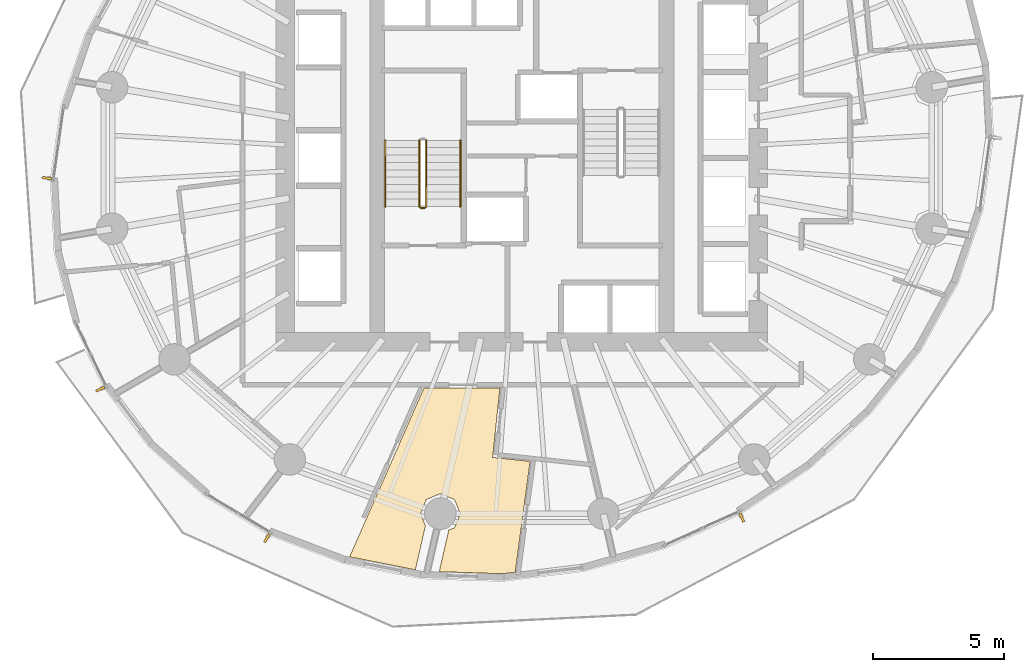
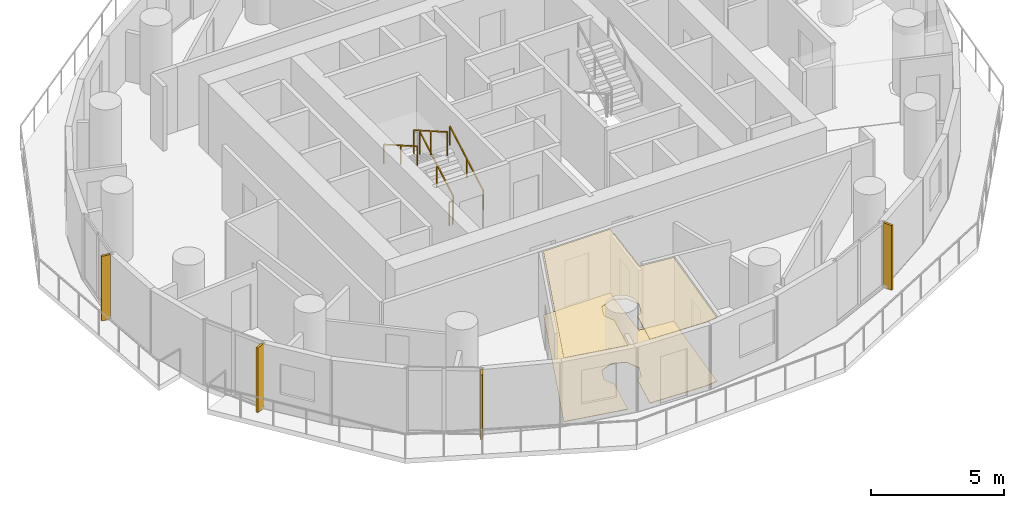
# One storey, part 11 of 14: 5 railings, 4 shading devices, 2 coverings.
"""IFC4 building model written with IfcOpenShell, lengths in metres."""

from ifc_helpers import new_model, si_unit, direction, frame, origin, origin_2d, place, context, subcontext, project, spatial, polyline, rectangle, outline, extrude, material, layer, layer_set, type_object, element, save


model = new_model("IFC4")

# Units and contexts
model_context = context("Model", 3, precision=1e-05, world=origin(), true_north=direction((0.0, 1.0)))
body_context = subcontext(model_context, "Body", "Model", "MODEL_VIEW")
ifc_project = project(units=[si_unit("LENGTHUNIT", "METRE"), si_unit("AREAUNIT", "SQUARE_METRE"), si_unit("VOLUMEUNIT", "CUBIC_METRE"), si_unit("PLANEANGLEUNIT", "RADIAN"), si_unit("MASSUNIT", "GRAM", prefix="KILO")], contexts=[model_context])

# Site, building, storey
site_placement = place(None, origin())
site = spatial("IfcSite", under=ifc_project, at=site_placement, CompositionType="ELEMENT")
building_placement = place(site_placement, origin())
building = spatial("IfcBuilding", under=site, at=building_placement, Name="Veldorim Arch Residences", CompositionType="ELEMENT")
storey_placement = place(building_placement, frame((0.0, 0.0, 86.8798828125)))
storey = spatial("IfcBuildingStorey", under=building, at=storey_placement, Name="L25", CompositionType="ELEMENT", Elevation=86.8798828125)

# Railings
ifc_material_1 = material(Name="Steel S355", Category="steel")
railing_type_1 = type_object("IfcRailingType", Name="Galvanised Steel Stair Safety Guardrail 1100", PredefinedType="GUARDRAIL", material=ifc_material_1)
railing_1_placement = place(storey_placement, frame((28.360107421875, 22.14990234375, 0.16015625)))
element("IfcRailing", 1, at=railing_1_placement, inside=storey, type_object=railing_type_1, Name="L25 ST-1 stair guard 1", PredefinedType="GUARDRAIL", context=body_context, shape_type="SweptSolid", body=[
    extrude(rectangle(XDim=0.048095703125, YDim=0.048095703125, at=origin_2d()), frame((0.0, 0.0, 1.076171875), z_axis=(0.0, 0.868253494771, 0.496120820787), x_axis=(-1.0, 0.0, 0.0)), (0.0, 0.0, 1.0), 2.90234375),
    extrude(rectangle(XDim=0.0419921875, YDim=0.0419921875, at=origin_2d()), origin(), (0.0, 0.0, 1.0), 1.052001953125),
    extrude(rectangle(XDim=0.0419921875, YDim=0.0419921875, at=origin_2d()), frame((0.0, 1.260009765625, 0.719970703125)), (0.0, 0.0, 1.0), 1.052001953125),
    extrude(rectangle(XDim=0.0419921875, YDim=0.0419921875, at=origin_2d()), frame((0.0, 2.52001953125, 1.43994140625)), (0.0, 0.0, 1.0), 1.052001953125),
])
railing_2_placement = place(storey_placement, frame((28.10009765625, 24.669921875, 1.760009765625)))
element("IfcRailing", 2, at=railing_2_placement, inside=storey, type_object=railing_type_1, Name="L25 ST-1 stair guard 3", PredefinedType="GUARDRAIL", context=body_context, shape_type="SweptSolid", body=[
    extrude(rectangle(XDim=0.048095703125, YDim=0.048095703125, at=origin_2d()), frame((0.0, 0.0, 1.076171875), z_axis=(0.0, -0.868217259934, 0.496184229447), x_axis=(1.0, 0.0, 0.0)), (0.0, 0.0, 1.0), 2.902587890625),
    extrude(rectangle(XDim=0.0419921875, YDim=0.0419921875, at=origin_2d()), origin(), (0.0, 0.0, 1.0), 1.052001953125),
    extrude(rectangle(XDim=0.0419921875, YDim=0.0419921875, at=origin_2d()), frame((0.0, -1.260009765625, 0.72021484375)), (0.0, 0.0, 1.0), 1.052001953125),
    extrude(rectangle(XDim=0.0419921875, YDim=0.0419921875, at=origin_2d()), frame((0.0, -2.52001953125, 1.440185546875)), (0.0, 0.0, 1.0), 1.052001953125),
])
railing_3_placement = place(storey_placement, frame((28.31005859375, 22.10009765625, 0.0)))
element("IfcRailing", 3, at=railing_3_placement, inside=storey, type_object=railing_type_1, Name="L25 ST-1 stair guard 4", PredefinedType="GUARDRAIL", context=body_context, shape_type="SweptSolid", body=[
    extrude(rectangle(XDim=0.048095703125, YDim=0.048095703125, at=origin_2d()), frame((0.0, 0.0, 1.076171875), z_axis=(-1.0, 0.0, 0.0), x_axis=(0.0, -1.0, 0.0)), (0.0, 0.0, 1.0), 0.16015625),
    extrude(rectangle(XDim=0.0419921875, YDim=0.0419921875, at=origin_2d()), origin(), (0.0, 0.0, 1.0), 1.052001953125),
    extrude(rectangle(XDim=0.0419921875, YDim=0.0419921875, at=origin_2d()), frame((-0.16015625, 0.0, 0.0)), (0.0, 0.0, 1.0), 1.052001953125),
])

# Coverings
ifc_material_2 = material(Name="Acoustic Gypsum & Mineral Fibre", Category="gypsum")
ifc_layer_1 = layer(ifc_material_2, 0.034912109375, Name="Perforated Acoustic Mineral-Fibre Ceiling 35")
ifc_layer_set_1 = layer_set([ifc_layer_1], Name="Acoustic Gypsum & Mineral Fibre")
covering_type_1 = type_object("IfcCoveringType", Name="Perforated Acoustic Mineral-Fibre Ceiling 35", PredefinedType="CEILING", material=ifc_layer_set_1)
covering_1_placement = place(storey_placement, frame((0.0, 0.0, 2.905029296875)))
element("IfcCovering", 4, at=covering_1_placement, inside=storey, type_object=covering_type_1, Name="L25 acoustic suspended ceiling 01", PredefinedType="CEILING", context=body_context, shape_type="SweptSolid", body=[
    extrude(outline(polyline([(27.94677734375, 8.32861328125), (25.442626953125, 8.8212890625), (28.275390625, 15.25), (31.1650390625, 15.25), (30.8857421875, 12.6064453125), (32.31201171875, 12.455810546875), (31.74609375, 8.23779296875), (31.26171875, 8.177734375), (28.853515625, 8.256591796875), (29.2158203125, 9.8369140625), (29.435302734375, 9.927978515625), (29.657958984375, 10.465087890625), (29.435302734375, 11.00244140625), (28.898193359375, 11.22509765625), (28.36083984375, 11.00244140625), (28.13818359375, 10.465087890625), (28.330078125, 10.001708984375), (27.94677734375, 8.32861328125)])), origin(), (0.0, 0.0, 1.0), 0.03515625),
])
ifc_material_3 = material(Name="Porcelain Ceramic Tile", Category="ceramic")
ifc_layer_2 = layer(ifc_material_3, 0.02001953125, Name="Slip-Resistant Porcelain & Vinyl Floor Finish 20")
ifc_layer_set_2 = layer_set([ifc_layer_2], Name="Porcelain Ceramic Tile")
covering_type_2 = type_object("IfcCoveringType", Name="Slip-Resistant Porcelain & Vinyl Floor Finish 20", PredefinedType="FLOORING", material=ifc_layer_set_2)
covering_2_placement = place(storey_placement, origin())
element("IfcCovering", 5, at=covering_2_placement, inside=storey, type_object=covering_type_2, Name="L25 porcelain floor finish 01", PredefinedType="FLOORING", context=body_context, shape_type="SweptSolid", body=[
    extrude(outline(polyline([(27.94677734375, 8.32861328125), (25.442626953125, 8.8212890625), (28.275390625, 15.25), (31.1650390625, 15.25), (30.8857421875, 12.6064453125), (32.31201171875, 12.455810546875), (31.74609375, 8.23779296875), (31.26171875, 8.177734375), (28.853515625, 8.256591796875), (29.2158203125, 9.8369140625), (29.435302734375, 9.927978515625), (29.657958984375, 10.465087890625), (29.435302734375, 11.00244140625), (28.898193359375, 11.22509765625), (28.36083984375, 11.00244140625), (28.13818359375, 10.465087890625), (28.330078125, 10.001708984375), (27.94677734375, 8.32861328125)])), origin(), (0.0, 0.0, 1.0), 0.02001953125),
])

# Railings
ifc_material_4 = material(Name="Stainless Steel", Category="steel")
railing_type_2 = type_object("IfcRailingType", Name="Tubular Steel Continuous Wall Handrail 900", PredefinedType="HANDRAIL", material=ifc_material_4)
railing_4_placement = place(storey_placement, frame((29.659912109375, 22.14990234375, 0.16015625)))
element("IfcRailing", 6, at=railing_4_placement, inside=storey, type_object=railing_type_2, Name="L25 ST-1 stair handrail 1", PredefinedType="HANDRAIL", context=body_context, shape_type="SweptSolid", body=[
    extrude(rectangle(XDim=0.048095703125, YDim=0.048095703125, at=origin_2d()), frame((0.0, 0.0, 0.8759765625), z_axis=(0.0, 0.868253494771, 0.496120820787), x_axis=(-1.0, 0.0, 0.0)), (0.0, 0.0, 1.0), 2.90234375),
    extrude(rectangle(XDim=0.0419921875, YDim=0.0419921875, at=origin_2d()), origin(), (0.0, 0.0, 1.0), 0.851806640625),
    extrude(rectangle(XDim=0.0419921875, YDim=0.0419921875, at=origin_2d()), frame((0.0, 1.260009765625, 0.719970703125)), (0.0, 0.0, 1.0), 0.851806640625),
    extrude(rectangle(XDim=0.0419921875, YDim=0.0419921875, at=origin_2d()), frame((0.0, 2.52001953125, 1.43994140625)), (0.0, 0.0, 1.0), 0.851806640625),
])
railing_5_placement = place(storey_placement, frame((26.800048828125, 24.669921875, 1.760009765625)))
element("IfcRailing", 7, at=railing_5_placement, inside=storey, type_object=railing_type_2, Name="L25 ST-1 stair handrail 2", PredefinedType="HANDRAIL", context=body_context, shape_type="SweptSolid", body=[
    extrude(rectangle(XDim=0.048095703125, YDim=0.048095703125, at=origin_2d()), frame((0.0, 0.0, 0.8759765625), z_axis=(0.0, -0.868217259934, 0.496184229447), x_axis=(1.0, 0.0, 0.0)), (0.0, 0.0, 1.0), 2.902587890625),
    extrude(rectangle(XDim=0.0419921875, YDim=0.0419921875, at=origin_2d()), origin(), (0.0, 0.0, 1.0), 0.851806640625),
    extrude(rectangle(XDim=0.0419921875, YDim=0.0419921875, at=origin_2d()), frame((0.0, -1.260009765625, 0.72021484375)), (0.0, 0.0, 1.0), 0.851806640625),
    extrude(rectangle(XDim=0.0419921875, YDim=0.0419921875, at=origin_2d()), frame((0.0, -2.52001953125, 1.440185546875)), (0.0, 0.0, 1.0), 0.851806640625),
])

# Shading devices
ifc_material_5 = material(Name="Terracotta Ceramic", Category="masonry")
ifc_layer_3 = layer(ifc_material_5, 0.090087890625, Name="Vertical Extruded Terracotta Baguette Sun-Shading Fin")
ifc_layer_set_3 = layer_set([ifc_layer_3], Name="Terracotta Ceramic")
shading_device_type = type_object("IfcShadingDeviceType", Name="Vertical Extruded Terracotta Baguette Sun-Shading Fin", PredefinedType="USERDEFINED", material=ifc_layer_set_3)
for number, where, z_axis, x_axis, name in (
    (8, (13.921630859375, 23.234375, 0.000244140625), (0.0, 0.0, 1.0), (0.14055563991, 0.990072781208, 0.0), "L25 vertical terracotta sun-shading fin 16"),
    (9, (15.955322265625, 15.203125, 0.000244140625), (0.0, 0.0, 1.0), (-0.437115766651, 0.899405251566, 0.0), "L25 vertical terracotta sun-shading fin 19"),
    (10, (22.29833984375, 9.5341796875, 0.000244140625), (0.0, 0.0, 1.0), (-0.857616429769, 0.514289859311, 0.0), "L25 vertical terracotta sun-shading fin 22"),
    (11, (40.369384765625, 10.316650390625, 0.000244140625), (0.0, 0.0, 1.0), (-0.909961270877, -0.414693242656, 0.0), "L25 vertical terracotta sun-shading fin 28"),
):
    element("IfcShadingDevice", number, at=place(storey_placement, frame(where, z_axis=z_axis, x_axis=x_axis)), inside=storey, type_object=shading_device_type, Name=name, ObjectType="FIN", PredefinedType="USERDEFINED", context=body_context, shape_type="SweptSolid", body=[
        extrude(rectangle(XDim=0.090087890625, YDim=0.360107421875, at=origin_2d()), origin(), (0.0, 0.0, 1.0), 2.9599609375),
    ])

save(model, "model.ifc")
